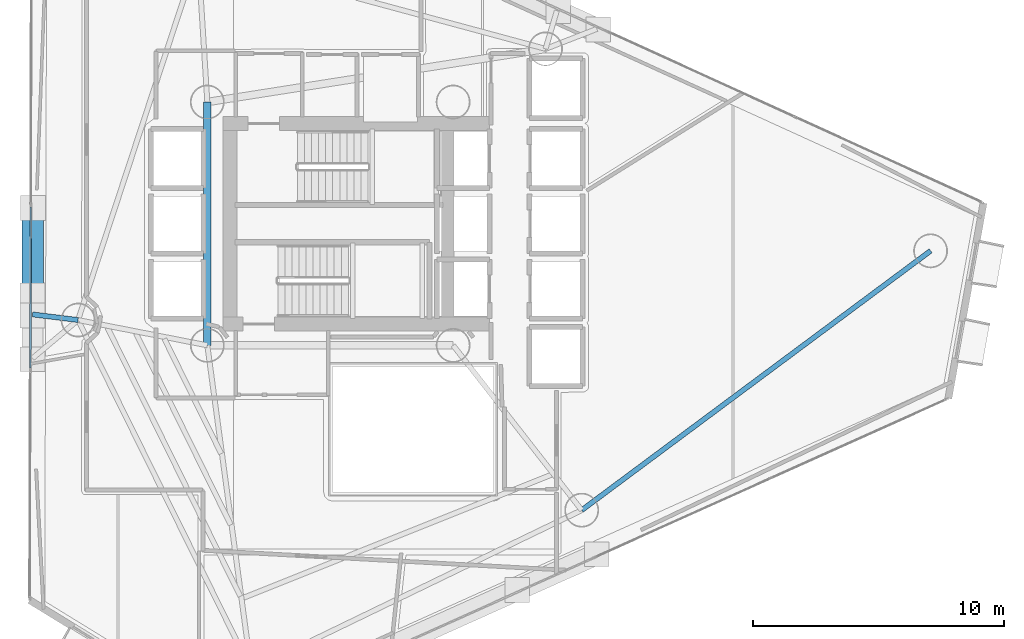
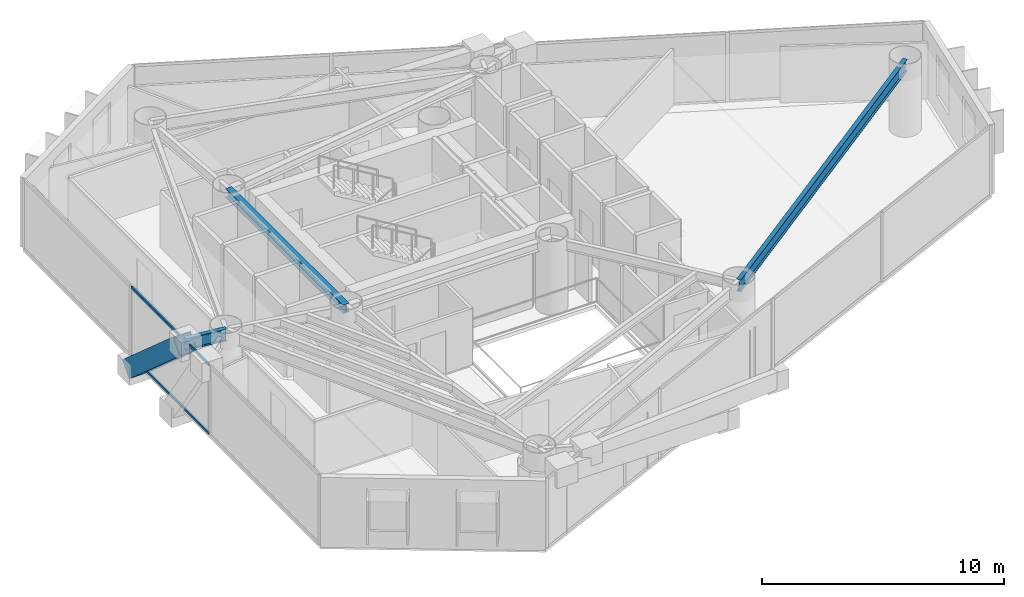
# One storey, part 8 of 23: 3 beams, 3 members, 1 element without a shape of its own.
"""IFC4 building model written with IfcOpenShell, lengths in metres."""

from ifc_helpers import new_model, si_unit, direction, frame, origin, origin_2d, place, context, subcontext, project, spatial, hollow_rectangle, i_section, extrude, material, layer, layer_set, material_profile, profile_set, type_object, element, aggregate, save


model = new_model("IFC4")

# Units and contexts
model_context = context("Model", 3, precision=1e-05, world=origin(), true_north=direction((0.0, 1.0)))
body_context = subcontext(model_context, "Body", "Model", "MODEL_VIEW")
ifc_project = project(units=[si_unit("LENGTHUNIT", "METRE"), si_unit("AREAUNIT", "SQUARE_METRE"), si_unit("VOLUMEUNIT", "CUBIC_METRE"), si_unit("PLANEANGLEUNIT", "RADIAN"), si_unit("MASSUNIT", "GRAM", prefix="KILO")], contexts=[model_context])

# Site, building, storey
site_placement = place(None, origin())
site = spatial("IfcSite", under=ifc_project, at=site_placement, CompositionType="ELEMENT")
building_placement = place(site_placement, origin())
building = spatial("IfcBuilding", under=site, at=building_placement, Name="Qianvela Tower", CompositionType="ELEMENT")
storey_placement = place(building_placement, frame((0.0, 0.0, 147.60009765625)))
storey = spatial("IfcBuildingStorey", under=building, at=storey_placement, Name="L37", CompositionType="ELEMENT", Elevation=147.60009765625)

# Beams
ifc_material_1 = material(Name="Steel Q355B", Category="steel")
ifc_material_profile_1 = material_profile(ifc_material_1, i_section(OverallWidth=0.300048828125, OverallDepth=0.43994140625, WebThickness=0.010986328125, FlangeThickness=0.01806640625, at=origin_2d()), Name="HM440x300x11x18")
ifc_profile_set_1 = profile_set([ifc_material_profile_1], Name="Steel Q355B")
beam_type_1 = type_object("IfcBeamType", Name="BM-HM440-COLL", PredefinedType="BEAM", material=ifc_profile_set_1)
beam_1_placement = place(storey_placement, frame((28.60009765625, 33.550048828125, 3.2978515625), z_axis=(0.0, -1.0, 0.0), x_axis=(1.0, 0.0, 0.0)))
element("IfcBeam", 1, at=beam_1_placement, inside=storey, type_object=beam_type_1, Name="L37 Core Ring Collector Girder CC2", PredefinedType="BEAM", context=body_context, shape_type="SweptSolid", body=[
    extrude(i_section(OverallWidth=0.300048828125, OverallDepth=0.43994140625, WebThickness=0.010986328125, FlangeThickness=0.01806640625, at=origin_2d()), origin(), (0.0, 0.0, 1.0), 9.699951171875),
])
ifc_material_2 = material(Name="Steel Q355B", Category="steel")
ifc_material_profile_2 = material_profile(ifc_material_2, i_section(OverallWidth=0.199951171875, OverallDepth=0.60009765625, WebThickness=0.010986328125, FlangeThickness=0.01708984375, at=origin_2d()), Name="HN600x200x11x17")
ifc_profile_set_2 = profile_set([ifc_material_profile_2], Name="Steel Q355B")
beam_type_2 = type_object("IfcBeamType", Name="BM-HN600-GIRD", PredefinedType="BEAM", material=ifc_profile_set_2)
beam_2_placement = place(storey_placement, frame((23.446044921875, 24.85888671875, 3.218017578125), z_axis=(-0.992384388706, 0.123179645448, 0.0), x_axis=(-0.123179645448, -0.992384388706, 0.0)))
element("IfcBeam", 2, at=beam_2_placement, inside=storey, type_object=beam_type_2, Name="L37 Mega-Brace Column Tie Bracket F2-1", PredefinedType="BEAM", context=body_context, shape_type="SweptSolid", body=[
    extrude(i_section(OverallWidth=0.199951171875, OverallDepth=0.60009765625, WebThickness=0.010986328125, FlangeThickness=0.01708984375, at=origin_2d()), origin(), (0.0, 0.0, 1.0), 1.827392578125),
])
beam_3_placement = place(storey_placement, frame((43.52490234375, 17.279052734375, 3.218017578125), z_axis=(0.802568869864, 0.596559476603, 0.0), x_axis=(-0.596559476603, 0.802568869864, 0.0)))
element("IfcBeam", 3, at=beam_3_placement, inside=storey, type_object=beam_type_2, Name="L37 Perimeter Ring Spandrel Girder 6", PredefinedType="BEAM", context=body_context, shape_type="SweptSolid", body=[
    extrude(i_section(OverallWidth=0.199951171875, OverallDepth=0.60009765625, WebThickness=0.010986328125, FlangeThickness=0.01708984375, at=origin_2d()), origin(), (0.0, 0.0, 1.0), 17.330810546875),
])

# Curtain wall, members
ifc_material_3 = material(Name="Anodised Architectural Aluminium and Insulated Spandrel Panel", Category="aluminium")
ifc_layer = layer(ifc_material_3, 0.179931640625)
ifc_layer_set = layer_set([ifc_layer], Name="Anodised Architectural Aluminium and Insulated Spandrel Panel")
curtain_wall_type = type_object("IfcCurtainWallType", Name="CW-BRACEBAY", PredefinedType="USERDEFINED", material=ifc_layer_set)
curtain_wall_placement = place(storey_placement, origin())
curtain_wall = element("IfcCurtainWall", 4, at=curtain_wall_placement, inside=storey, type_object=curtain_wall_type, Name="L37 CW-BRACEBAY Curtain Wall 04B", ObjectType="CURTAIN_WALL_SYSTEM", PredefinedType="USERDEFINED")
ifc_material_4 = material(Name="Anodised Architectural Aluminium 6063-T6", Category="aluminium")
ifc_material_profile_3 = material_profile(ifc_material_4, hollow_rectangle(XDim=0.06494140625, YDim=0.1298828125, WallThickness=0.00439453125, at=origin_2d()), Name="ALU-TRAN-65x130")
ifc_profile_set_3 = profile_set([ifc_material_profile_3], Name="Anodised Architectural Aluminium 6063-T6")
member_type_1 = type_object("IfcMemberType", Name="CW-BRACEBAY-TRAN", PredefinedType="USERDEFINED", material=ifc_profile_set_3)
member_1_placement = place(storey_placement, frame((21.564453125, 29.3671875, 0.032470703125), z_axis=(-0.002809830949, -0.999996052417, 0.0), x_axis=(0.999996052417, -0.002809830949, 0.0)))
member_1 = element("IfcMember", 5, at=member_1_placement, type_object=member_type_1, Name="CW-9 transom 1.1", ObjectType="TRANSOM", PredefinedType="USERDEFINED", context=body_context, shape_type="SweptSolid", body=[
    extrude(hollow_rectangle(XDim=0.06494140625, YDim=0.1298828125, WallThickness=0.00439453125, at=origin_2d()), origin(), (0.0, 0.0, 1.0), 6.4296875),
])
member_2_placement = place(storey_placement, frame((21.564453125, 29.3671875, 3.4873046875), z_axis=(-0.002809830949, -0.999996052417, 0.0), x_axis=(0.999996052417, -0.002809830949, 0.0)))
member_2 = element("IfcMember", 6, at=member_2_placement, type_object=member_type_1, Name="CW-9 transom 1.2", ObjectType="TRANSOM", PredefinedType="USERDEFINED", context=body_context, shape_type="SweptSolid", body=[
    extrude(hollow_rectangle(XDim=0.06494140625, YDim=0.1298828125, WallThickness=0.00439453125, at=origin_2d()), origin(), (0.0, 0.0, 1.0), 6.4296875),
])
aggregate(curtain_wall, [member_1, member_2])

# Member
ifc_material_5 = material(Name="Steel Q420GJC", Category="steel")
ifc_material_profile_4 = material_profile(ifc_material_5, hollow_rectangle(XDim=0.85009765625, YDim=0.85009765625, WallThickness=0.031982421875, at=origin_2d()), Name="MBOX-850x850x32")
ifc_profile_set_4 = profile_set([ifc_material_profile_4], Name="Steel Q420GJC")
member_type_2 = type_object("IfcMemberType", Name="MBR-MBRACE-850", PredefinedType="BRACE", material=ifc_profile_set_4)
member_3_placement = place(storey_placement, frame((21.644287109375, 29.279296875, -0.482177734375), z_axis=(-0.002094898737, -0.749973747937, 0.661464276288), x_axis=(0.999996098771, -0.002793285192, 0.0)))
element("IfcMember", 7, at=member_3_placement, inside=storey, type_object=member_type_2, Name="L37 Tier 6 Exterior Mega-Brace F2A", PredefinedType="BRACE", context=body_context, shape_type="SweptSolid", body=[
    extrude(hollow_rectangle(XDim=0.85009765625, YDim=0.85009765625, WallThickness=0.031982421875, at=origin_2d()), origin(), (0.0, 0.0, 1.0), 5.593994140625),
])

save(model, "model.ifc")
